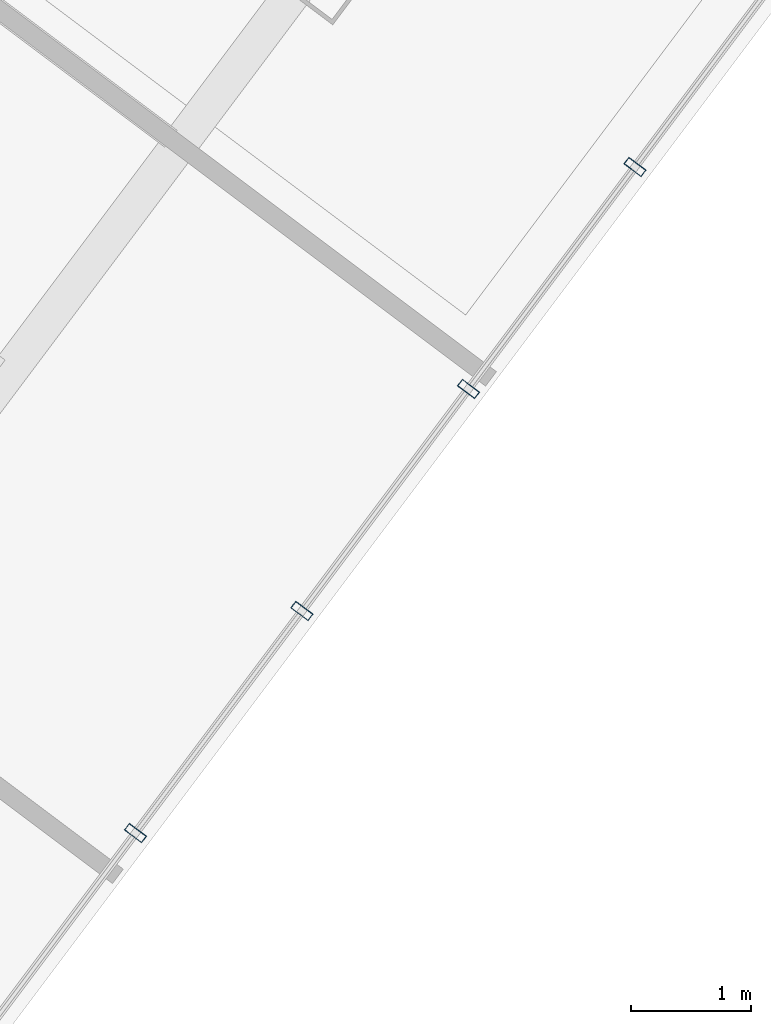
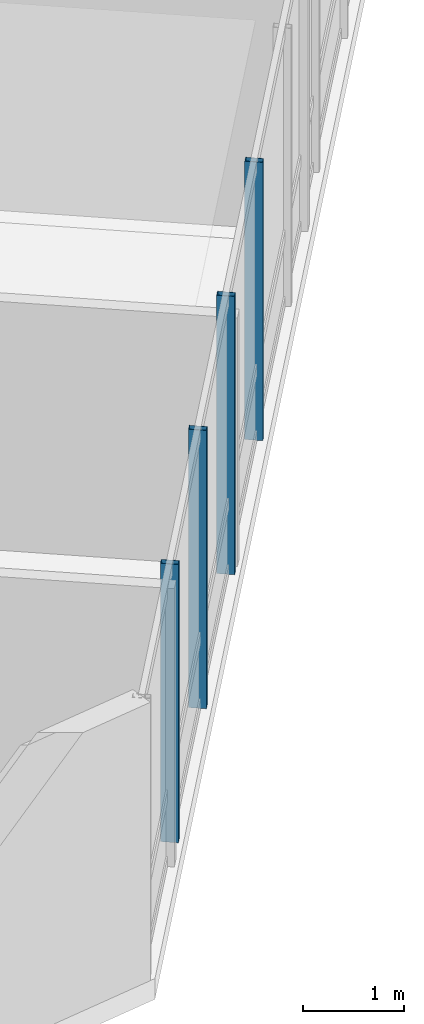
# One storey, part 8 of 31: 4 members, 1 element without a shape of its own.
"""IFC4 building model written with IfcOpenShell, lengths in metres."""

from ifc_helpers import new_model, si_unit, direction, frame, origin, origin_2d, place, context, subcontext, project, spatial, hollow_rectangle, extrude, material, layer, layer_set, material_profile, profile_set, type_object, element, aggregate, save


model = new_model("IFC4")

# Units and contexts
model_context = context("Model", 3, precision=1e-05, world=origin(), true_north=direction((0.0, 1.0)))
body_context = subcontext(model_context, "Body", "Model", "MODEL_VIEW")
ifc_project = project(units=[si_unit("LENGTHUNIT", "METRE"), si_unit("AREAUNIT", "SQUARE_METRE"), si_unit("VOLUMEUNIT", "CUBIC_METRE"), si_unit("PLANEANGLEUNIT", "RADIAN"), si_unit("MASSUNIT", "GRAM", prefix="KILO")], contexts=[model_context])

# Site, building, storey
site_placement = place(None, origin())
site = spatial("IfcSite", under=ifc_project, at=site_placement, CompositionType="ELEMENT")
building_placement = place(site_placement, origin())
building = spatial("IfcBuilding", under=site, at=building_placement, Name="Hatsunagi Terrace Concourse", CompositionType="ELEMENT")
storey_placement = place(building_placement, frame((0.0, 0.0, 122.85009765625)))
storey = spatial("IfcBuildingStorey", under=building, at=storey_placement, Name="L32", CompositionType="ELEMENT", Elevation=122.85009765625)

# Curtain wall, members
ifc_material_1 = material(Name="Anodised Aluminium Alloy 6063-T5", Category="aluminium")
ifc_layer = layer(ifc_material_1, 0.199951171875)
ifc_layer_set = layer_set([ifc_layer], Name="OfficeZone1_CW03")
curtain_wall_type = type_object("IfcCurtainWallType", Name="OfficeZone1_CW03", PredefinedType="NOTDEFINED", material=ifc_layer_set)
curtain_wall_placement = place(storey_placement, origin())
curtain_wall = element("IfcCurtainWall", 1, at=curtain_wall_placement, inside=storey, type_object=curtain_wall_type, Name="Unitised Curtain Wall CW-03 CW-L32-03", PredefinedType="NOTDEFINED")
ifc_material_2 = material(Name="Anodised Aluminium Alloy 6063-T5", Category="aluminium")
ifc_material_profile = material_profile(ifc_material_2, hollow_rectangle(XDim=0.070068359375, YDim=0.179931640625, WallThickness=0.00390625, at=origin_2d()), Name="ALU-MUL-180x70x4")
ifc_profile_set = profile_set([ifc_material_profile], Name="Anodised Aluminium Alloy 6063-T5")
member_type = type_object("IfcMemberType", Name="CurtainWallMullion_180x70", PredefinedType="MULLION", material=ifc_profile_set)
member_1_placement = place(storey_placement, frame((62.132080078125, 10.3759765625, 0.0), z_axis=(0.0, 0.0, 1.0), x_axis=(-0.599969314634, -0.800023013105, 0.0)))
member_1 = element("IfcMember", 2, at=member_1_placement, type_object=member_type, Name="Curtain Wall Mullion MUL-02", PredefinedType="MULLION", context=body_context, shape_type="SweptSolid", body=[
    extrude(hollow_rectangle(XDim=0.070068359375, YDim=0.179931640625, WallThickness=0.00390625, at=origin_2d()), origin(), (0.0, 0.0, 1.0), 3.349853515625),
])
member_2_placement = place(storey_placement, frame((60.739990234375, 8.51904296875, 0.0), z_axis=(0.0, 0.0, 1.0), x_axis=(-0.599969314634, -0.800023013105, 0.0)))
member_2 = element("IfcMember", 3, at=member_2_placement, type_object=member_type, Name="Curtain Wall Mullion MUL-02", PredefinedType="MULLION", context=body_context, shape_type="SweptSolid", body=[
    extrude(hollow_rectangle(XDim=0.070068359375, YDim=0.179931640625, WallThickness=0.00390625, at=origin_2d()), origin(), (0.0, 0.0, 1.0), 3.349853515625),
])
member_3_placement = place(storey_placement, frame((59.346923828125, 6.6630859375, 0.0), z_axis=(0.0, 0.0, 1.0), x_axis=(-0.599969314634, -0.800023013105, 0.0)))
member_3 = element("IfcMember", 4, at=member_3_placement, type_object=member_type, Name="Curtain Wall Mullion MUL-02", PredefinedType="MULLION", context=body_context, shape_type="SweptSolid", body=[
    extrude(hollow_rectangle(XDim=0.070068359375, YDim=0.179931640625, WallThickness=0.00390625, at=origin_2d()), origin(), (0.0, 0.0, 1.0), 3.349853515625),
])
member_4_placement = place(storey_placement, frame((57.955078125, 4.805908203125, 0.0), z_axis=(0.0, 0.0, 1.0), x_axis=(-0.599969314634, -0.800023013105, 0.0)))
member_4 = element("IfcMember", 5, at=member_4_placement, type_object=member_type, Name="Curtain Wall Mullion MUL-02", PredefinedType="MULLION", context=body_context, shape_type="SweptSolid", body=[
    extrude(hollow_rectangle(XDim=0.070068359375, YDim=0.179931640625, WallThickness=0.00390625, at=origin_2d()), origin(), (0.0, 0.0, 1.0), 3.349853515625),
])
aggregate(curtain_wall, [member_1, member_2, member_3, member_4])

save(model, "model.ifc")
